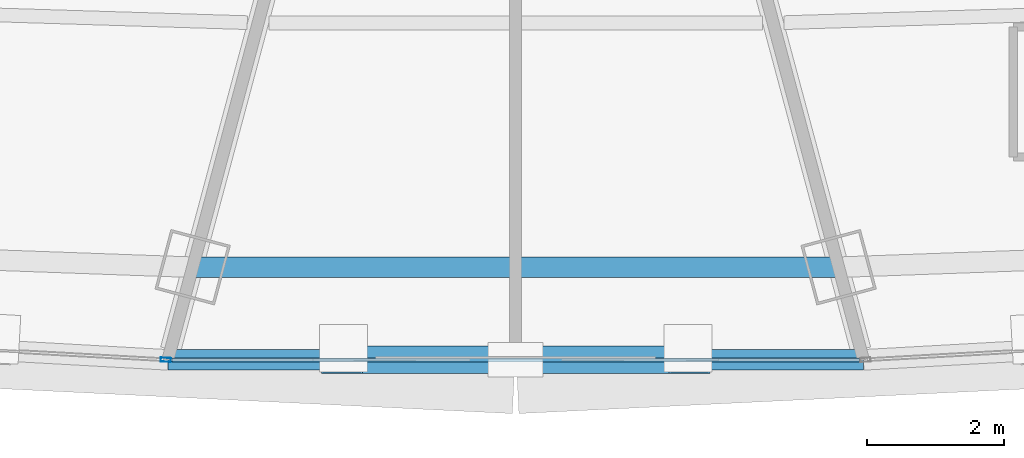
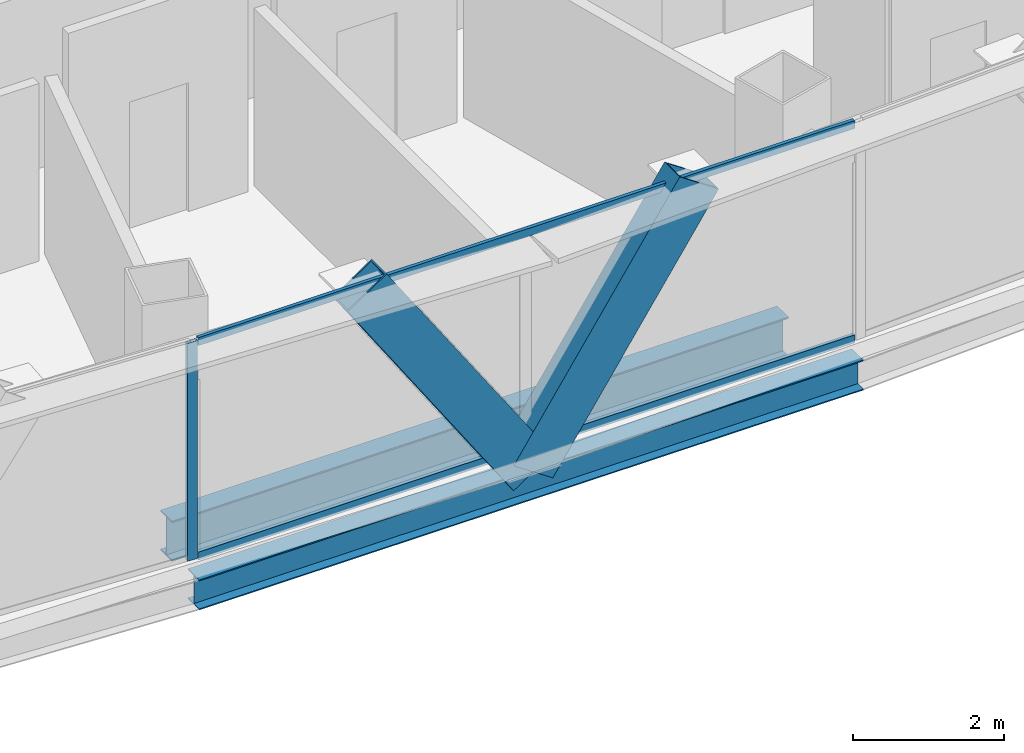
# One storey, part 10 of 36: 5 members, 2 beams, 2 elements without a shape of their own.
"""IFC4 building model written with IfcOpenShell, lengths in metres."""

from ifc_helpers import new_model, si_unit, direction, frame, origin, origin_2d, place, context, subcontext, project, spatial, hollow_rectangle, i_section, extrude, source, transform, mapped, material, layer, layer_set, material_profile, profile_set, type_object, element, aggregate, save


model = new_model("IFC4")

# Units and contexts
model_context = context("Model", 3, precision=1e-05, world=origin(), true_north=direction((0.0, 1.0)))
body_context = subcontext(model_context, "Body", "Model", "MODEL_VIEW")
ifc_project = project(units=[si_unit("LENGTHUNIT", "METRE"), si_unit("AREAUNIT", "SQUARE_METRE"), si_unit("VOLUMEUNIT", "CUBIC_METRE"), si_unit("PLANEANGLEUNIT", "RADIAN"), si_unit("MASSUNIT", "GRAM", prefix="KILO"), si_unit("THERMODYNAMICTEMPERATUREUNIT", "KELVIN"), si_unit("POWERUNIT", "WATT")], contexts=[model_context])

# Site, building, storey
site_placement = place(None, origin())
site = spatial("IfcSite", under=ifc_project, at=site_placement, CompositionType="ELEMENT")
building_placement = place(site_placement, origin())
building = spatial("IfcBuilding", under=site, at=building_placement, Name="Yunzhuo Pagoda Commons", CompositionType="ELEMENT")
storey_placement = place(building_placement, frame((0.0, 0.0, 215.159912109375)))
storey = spatial("IfcBuildingStorey", under=building, at=storey_placement, Name="L54", CompositionType="ELEMENT", Elevation=215.159912109375)

# Beams
ifc_material_1 = material(Name="Structural steel Q355B", Category="steel")
ifc_material_profile_1 = material_profile(ifc_material_1, i_section(OverallWidth=0.300048828125, OverallDepth=0.64990234375, WebThickness=0.012939453125, FlangeThickness=0.02197265625, at=origin_2d()), Name="Structural steel Q355B")
ifc_profile_set_1 = profile_set([ifc_material_profile_1], Name="Structural steel Q355B")
beam_type_1 = type_object("IfcBeamType", Name="B-RG2 Beam HN 650x300x13x22", PredefinedType="BEAM", material=ifc_profile_set_1)
shared_shape_1 = source(origin(), body_context, "Body", "SweptSolid", [
    extrude(i_section(OverallWidth=0.300048828125, OverallDepth=0.64990234375, WebThickness=0.012939453125, FlangeThickness=0.02197265625, at=origin_2d()), origin(), (0.0, 0.0, 1.0), 9.42529296875),
])
beam_1_placement = place(storey_placement, frame((43.28759765625, 16.1123046875, -0.5849609375), z_axis=(1.0, 0.0, 0.0), x_axis=(0.0, 1.0, 0.0)))
element("IfcBeam", 1, at=beam_1_placement, inside=storey, type_object=beam_type_1, Name="L54 column-ring beam 2", PredefinedType="BEAM", context=body_context, shape_type="MappedRepresentation", body=[
    mapped(shared_shape_1, transform((0.0, 0.0, 0.0), scale=1.0)),
])
ifc_material_profile_2 = material_profile(ifc_material_1, i_section(OverallWidth=0.300048828125, OverallDepth=0.488037109375, WebThickness=0.010986328125, FlangeThickness=0.01806640625, at=origin_2d()), Name="Structural steel Q355B")
ifc_profile_set_2 = profile_set([ifc_material_profile_2], Name="Structural steel Q355B")
beam_type_2 = type_object("IfcBeamType", Name="B-SP1 Beam HM 488x300x11x18", PredefinedType="BEAM", material=ifc_profile_set_2)
shared_shape_2 = source(origin(), body_context, "Body", "SweptSolid", [
    extrude(i_section(OverallWidth=0.300048828125, OverallDepth=0.488037109375, WebThickness=0.010986328125, FlangeThickness=0.01806640625, at=origin_2d()), origin(), (0.0, 0.0, 1.0), 10.14990234375),
])
beam_2_placement = place(storey_placement, frame((42.925048828125, 14.760498046875, -0.50390625), z_axis=(1.0, 0.0, 0.0), x_axis=(0.0, 1.0, 0.0)))
element("IfcBeam", 2, at=beam_2_placement, inside=storey, type_object=beam_type_2, Name="L54 facade edge spandrel beam F1.2", PredefinedType="BEAM", context=body_context, shape_type="MappedRepresentation", body=[
    mapped(shared_shape_2, transform((0.0, 0.0, 0.0), scale=1.0)),
])

# Members
ifc_material_profile_3 = material_profile(ifc_material_1, hollow_rectangle(XDim=0.39990234375, YDim=0.719970703125, WallThickness=0.02392578125, at=origin_2d()), Name="Structural steel Q355B")
ifc_profile_set_3 = profile_set([ifc_material_profile_3], Name="Structural steel Q355B")
member_type_1 = type_object("IfcMemberType", Name="M-DL2 Brace BOX 720x400x24", PredefinedType="BRACE", material=ifc_profile_set_3)
shared_shape_3 = source(origin(), body_context, "Body", "SweptSolid", [
    extrude(hollow_rectangle(XDim=0.39990234375, YDim=0.719970703125, WallThickness=0.02392578125, at=origin_2d()), origin(), (0.0, 0.0, 1.0), 4.552490234375),
])
member_1_placement = place(storey_placement, frame((48.0, 14.760498046875, -0.260009765625), z_axis=(-0.557296358662, 0.0, 0.830313656772), x_axis=(0.0, -1.0, 0.0)))
element("IfcMember", 3, at=member_1_placement, inside=storey, type_object=member_type_1, Name="L54 facade diamond brace F1.2L", PredefinedType="BRACE", context=body_context, shape_type="MappedRepresentation", body=[
    mapped(shared_shape_3, transform((0.0, 0.0, 0.0), scale=1.0)),
])
shared_shape_4 = source(origin(), body_context, "Body", "SweptSolid", [
    extrude(hollow_rectangle(XDim=0.39990234375, YDim=0.719970703125, WallThickness=0.02392578125, at=origin_2d()), origin(), (0.0, 0.0, 1.0), 4.552734375),
])
member_2_placement = place(storey_placement, frame((48.0, 14.760498046875, -0.260009765625), z_axis=(0.557370295775, 0.0, 0.830264026312), x_axis=(0.0, 1.0, 0.0)))
element("IfcMember", 4, at=member_2_placement, inside=storey, type_object=member_type_1, Name="L54 facade diamond brace F1.2R", PredefinedType="BRACE", context=body_context, shape_type="MappedRepresentation", body=[
    mapped(shared_shape_4, transform((0.0, 0.0, 0.0), scale=1.0)),
])

# Curtain wall, members
ifc_material_2 = material(Name="Anodized aluminium 6063-T6", Category="aluminium")
ifc_layer = layer(ifc_material_2, 0.14990234375)
ifc_layer_set = layer_set([ifc_layer], Name="Anodized aluminium 6063-T6")
curtain_wall_type = type_object("IfcCurtainWallType", Name="CW-MID Mid-Zone Ribbon Curtain Wall", PredefinedType="NOTDEFINED", material=ifc_layer_set)
curtain_wall_1_placement = place(storey_placement, origin())
curtain_wall_1 = element("IfcCurtainWall", 5, at=curtain_wall_1_placement, inside=storey, type_object=curtain_wall_type, Name="L54 curtain wall CW-L54-F1B3", PredefinedType="NOTDEFINED")
ifc_material_profile_4 = material_profile(ifc_material_2, hollow_rectangle(XDim=0.054931640625, YDim=0.1298828125, WallThickness=0.00341796875, at=origin_2d()), Name="Anodized aluminium 6063-T6")
ifc_profile_set_4 = profile_set([ifc_material_profile_4], Name="Anodized aluminium 6063-T6")
member_type_2 = type_object("IfcMemberType", Name="CW-MID-T Transom RHS 130x55x3.5", PredefinedType="USERDEFINED", material=ifc_profile_set_4)
shared_shape_5 = source(origin(), body_context, "Body", "SweptSolid", [
    extrude(hollow_rectangle(XDim=0.054931640625, YDim=0.1298828125, WallThickness=0.00341796875, at=origin_2d()), origin(), (0.0, 0.0, 1.0), 10.02978515625),
])
member_3_placement = place(storey_placement, frame((42.985107421875, 14.760498046875, 0.027587890625), z_axis=(1.0, 0.0, 0.0), x_axis=(0.0, 1.0, 0.0)))
member_3 = element("IfcMember", 6, at=member_3_placement, type_object=member_type_2, Name="CW transom 1.1", ObjectType="TRANSOM", PredefinedType="USERDEFINED", context=body_context, shape_type="MappedRepresentation", body=[
    mapped(shared_shape_5, transform((0.0, 0.0, 0.0), scale=1.0)),
])
member_4_placement = place(storey_placement, frame((42.985107421875, 14.760498046875, 3.49267578125), z_axis=(1.0, 0.0, 0.0), x_axis=(0.0, 1.0, 0.0)))
member_4 = element("IfcMember", 7, at=member_4_placement, type_object=member_type_2, Name="CW transom 1.2", ObjectType="TRANSOM", PredefinedType="USERDEFINED", context=body_context, shape_type="MappedRepresentation", body=[
    mapped(shared_shape_5, transform((0.0, 0.0, 0.0), scale=1.0)),
])
aggregate(curtain_wall_1, [member_3, member_4])

# Curtain wall, member
curtain_wall_2_placement = place(storey_placement, origin())
curtain_wall_2 = element("IfcCurtainWall", 8, at=curtain_wall_2_placement, inside=storey, type_object=curtain_wall_type, Name="L54 curtain wall CW-L54-F1B2", PredefinedType="NOTDEFINED")
ifc_material_profile_5 = material_profile(ifc_material_2, hollow_rectangle(XDim=0.06005859375, YDim=0.14990234375, WallThickness=0.00390625, at=origin_2d()), Name="Anodized aluminium 6063-T6")
ifc_profile_set_5 = profile_set([ifc_material_profile_5], Name="Anodized aluminium 6063-T6")
member_type_3 = type_object("IfcMemberType", Name="CW-MID-M Mullion RHS 150x60x4", PredefinedType="MULLION", material=ifc_profile_set_5)
shared_shape_6 = source(origin(), body_context, "Body", "SweptSolid", [
    extrude(hollow_rectangle(XDim=0.06005859375, YDim=0.14990234375, WallThickness=0.00390625, at=origin_2d()), origin(), (0.0, 0.0, 1.0), 3.52001953125),
])
member_5_placement = place(storey_placement, frame((42.895263671875, 14.761962890625, 0.0), z_axis=(0.0, 0.0, 1.0), x_axis=(0.055641789149, 0.998450795633, 0.0)))
member_5 = element("IfcMember", 9, at=member_5_placement, type_object=member_type_3, Name="CW mullion 2", PredefinedType="MULLION", context=body_context, shape_type="MappedRepresentation", body=[
    mapped(shared_shape_6, transform((0.0, 0.0, 0.0), scale=1.0)),
])
aggregate(curtain_wall_2, [member_5])

save(model, "model.ifc")
